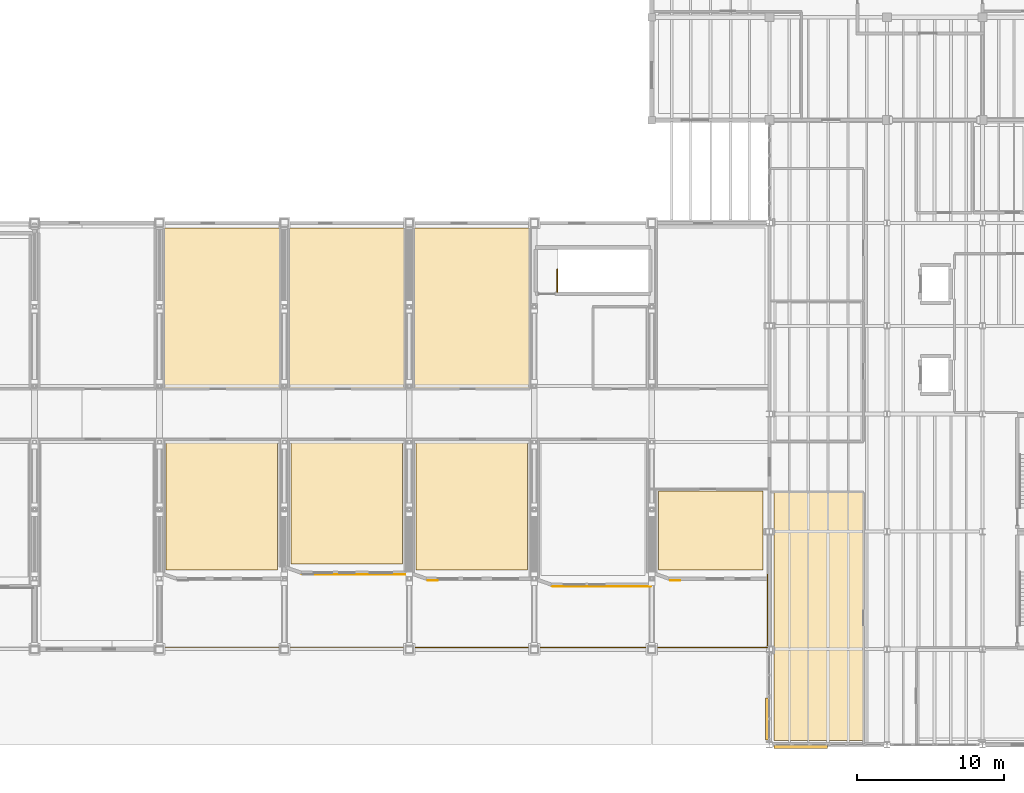
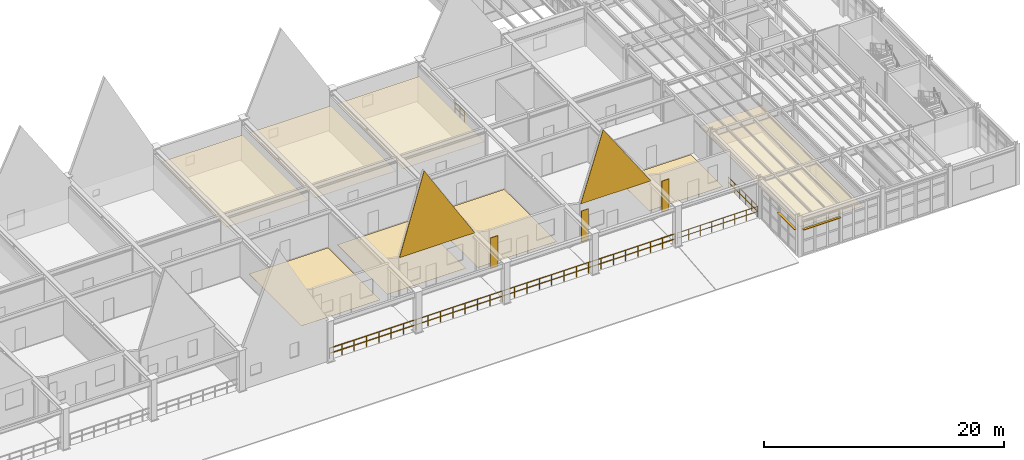
# One storey, part 76 of 78: 13 coverings, 3 railings, 2 shading devices.
"""IFC4 building model written with IfcOpenShell, lengths in metres."""

from ifc_helpers import new_model, si_unit, direction, frame, frame_2d, origin, origin_2d, place, context, subcontext, project, spatial, polyline, rectangle, circle, outline, extrude, material, layer, layer_set, type_object, element, save


model = new_model("IFC4")

# Units and contexts
model_context = context("Model", 3, precision=1e-05, world=origin(), true_north=direction((0.0, 1.0)))
body_context = subcontext(model_context, "Body", "Model", "MODEL_VIEW")
ifc_project = project(units=[si_unit("LENGTHUNIT", "METRE"), si_unit("AREAUNIT", "SQUARE_METRE"), si_unit("VOLUMEUNIT", "CUBIC_METRE"), si_unit("PLANEANGLEUNIT", "RADIAN"), si_unit("MASSUNIT", "GRAM", prefix="KILO"), si_unit("THERMODYNAMICTEMPERATUREUNIT", "KELVIN"), si_unit("POWERUNIT", "WATT")], contexts=[model_context])

# Site, building, storey
site_placement = place(None, origin())
site = spatial("IfcSite", under=ifc_project, at=site_placement, CompositionType="ELEMENT")
building_placement = place(site_placement, origin())
building = spatial("IfcBuilding", under=site, at=building_placement, Name="Zhenchuan Central Fire Station", CompositionType="ELEMENT")
storey_placement = place(building_placement, frame((0.0, 0.0, 5.85009765625)))
storey = spatial("IfcBuildingStorey", under=building, at=storey_placement, Name="L02", CompositionType="ELEMENT", Elevation=5.85009765625)

# Coverings
ifc_material_1 = material(Name="Glulam larch timber GL28h", Category="wood")
ifc_layer_1 = layer(ifc_material_1, 0.0400390625, Name="Glulam larch timber GL28h", Category="wood")
ifc_layer_set_1 = layer_set([ifc_layer_1], Name="Glulam larch timber GL28h")
covering_type_1 = type_object("IfcCoveringType", Name="CLD-LRCH-TIM", PredefinedType="CLADDING", material=ifc_layer_set_1)
covering_1_placement = place(storey_placement, frame((108.199951171875, 11.570068359375, 3.949951171875), z_axis=(0.0, 0.0, 1.0), x_axis=(1.0, 0.0, 0.0)))
element("IfcCovering", 1, at=covering_1_placement, inside=storey, type_object=covering_type_1, Name="Pavilion H07 Glulam Larch Gable Cheek Cladding", PredefinedType="CLADDING", context=body_context, shape_type="SweptSolid", body=[
    extrude(outline(polyline([(0.0, 0.0), (7.25, 0.0), (7.25, 0.0), (2.3701171875, 8.010009765625), (0.0, 0.0), (0.0, 0.0)])), frame((0.0, 0.02001953125, 0.0), z_axis=(0.0, -1.0, 0.0), x_axis=(1.0, 0.0, 0.0)), (0.0, 0.0, 1.0), 0.0400390625),
])
covering_2_placement = place(storey_placement, frame((125.199951171875, 10.77001953125, 3.949951171875), z_axis=(0.0, 0.0, 1.0), x_axis=(1.0, 0.0, 0.0)))
element("IfcCovering", 2, at=covering_2_placement, inside=storey, type_object=covering_type_1, Name="Pavilion H09 Glulam Larch Gable Cheek Cladding", PredefinedType="CLADDING", context=body_context, shape_type="SweptSolid", body=[
    extrude(outline(polyline([(0.0, 0.0), (6.75, 0.0), (6.75, 0.0), (2.159912109375, 6.81005859375), (0.0, 0.0), (0.0, 0.0)])), frame((0.0, 0.02001953125, 0.0), z_axis=(0.0, -1.0, 0.0), x_axis=(1.0, 0.0, 0.0)), (0.0, 0.0, 1.0), 0.0400390625),
])
ifc_material_2 = material(Name="White standing-seam ribbed aluminium cladding", Category="aluminium")
ifc_layer_2 = layer(ifc_material_2, 0.034912109375, Name="White standing-seam ribbed aluminium cladding", Category="aluminium")
ifc_layer_set_2 = layer_set([ifc_layer_2], Name="White standing-seam ribbed aluminium cladding")
covering_type_2 = type_object("IfcCoveringType", Name="CLD-WHT-MTL", PredefinedType="CLADDING", material=ifc_layer_set_2)
for number, where, z_axis, x_axis, name in (
    (3, (116.75, 11.172607421875, 0.0498046875), (0.0, 0.0, 1.0), (1.0, 0.0, 0.0), "Pavilion H08 White Standing-Seam Ribbed Metal Cladding"),
    (4, (125.25, 10.7724609375, 0.0498046875), (0.0, 0.0, 1.0), (1.0, 0.0, 0.0), "Pavilion H09 White Standing-Seam Ribbed Metal Cladding"),
    (5, (133.25, 11.172607421875, 0.0498046875), (0.0, 0.0, 1.0), (1.0, 0.0, 0.0), "Pavilion H10 White Standing-Seam Ribbed Metal Cladding"),
):
    element("IfcCovering", number, at=place(storey_placement, frame(where, z_axis=z_axis, x_axis=x_axis)), inside=storey, type_object=covering_type_2, Name=name, PredefinedType="CLADDING", context=body_context, shape_type="SweptSolid", body=[
        extrude(rectangle(XDim=0.699951171875, YDim=0.034912109375, at=frame_2d((0.35009765625, 0.0))), origin(), (0.0, 0.0, 1.0), 3.150146484375),
    ])
ifc_material_3 = material(Name="Gypsum plasterboard acoustic ceiling", Category="gypsum")
ifc_layer_3 = layer(ifc_material_3, 0.01806640625, Name="Gypsum plasterboard acoustic ceiling", Category="gypsum")
ifc_layer_set_3 = layer_set([ifc_layer_3], Name="Gypsum plasterboard acoustic ceiling")
covering_type_3 = type_object("IfcCoveringType", Name="COV-CEIL-GYP", PredefinedType="CEILING", material=ifc_layer_set_3)
covering_3_placement = place(storey_placement, frame((0.0, 0.0, 2.64990234375)))
element("IfcCovering", 6, at=covering_3_placement, inside=storey, type_object=covering_type_3, Name="Paramedic Supply Store Acoustic Ceiling", PredefinedType="CEILING", context=body_context, shape_type="SweptSolid", body=[
    extrude(outline(polyline([(98.800048828125, 24.199951171875), (98.800048828125, 35.14990234375), (106.699951171875, 35.14990234375), (106.699951171875, 24.199951171875), (98.800048828125, 24.199951171875)])), origin(), (0.0, 0.0, 1.0), 0.01806640625),
])
covering_4_placement = place(storey_placement, frame((0.0, 0.0, 2.64990234375)))
element("IfcCovering", 7, at=covering_4_placement, inside=storey, type_object=covering_type_3, Name="Cadet Seminar Room Acoustic Ceiling", PredefinedType="CEILING", context=body_context, shape_type="SweptSolid", body=[
    extrude(outline(polyline([(107.300048828125, 24.199951171875), (107.300048828125, 35.14990234375), (115.199951171875, 35.14990234375), (115.199951171875, 24.199951171875), (107.300048828125, 24.199951171875)])), origin(), (0.0, 0.0, 1.0), 0.01806640625),
])
covering_5_placement = place(storey_placement, frame((0.0, 0.0, 2.64990234375)))
element("IfcCovering", 8, at=covering_5_placement, inside=storey, type_object=covering_type_3, Name="Radio Maintenance Workshop Acoustic Ceiling", PredefinedType="CEILING", context=body_context, shape_type="SweptSolid", body=[
    extrude(outline(polyline([(115.800048828125, 24.199951171875), (115.800048828125, 35.14990234375), (123.699951171875, 35.14990234375), (123.699951171875, 24.199951171875), (115.800048828125, 24.199951171875)])), origin(), (0.0, 0.0, 1.0), 0.01806640625),
])
covering_6_placement = place(storey_placement, frame((0.0, 0.0, 2.64990234375)))
element("IfcCovering", 9, at=covering_6_placement, inside=storey, type_object=covering_type_3, Name="Fire Prevention Inspection Office Acoustic Ceiling", PredefinedType="CEILING", context=body_context, shape_type="SweptSolid", body=[
    extrude(outline(polyline([(140.300048828125, 0.300048828125), (140.300048828125, 17.199951171875), (146.39990234375, 17.199951171875), (146.39990234375, 0.300048828125), (140.300048828125, 0.300048828125)])), origin(), (0.0, 0.0, 1.0), 0.01806640625),
])
ifc_material_4 = material(Name="Heavy-duty slip-resistant ceramic tile flooring")
ifc_layer_4 = layer(ifc_material_4, 0.014892578125, Name="Heavy-duty slip-resistant ceramic tile flooring")
ifc_layer_set_4 = layer_set([ifc_layer_4], Name="Heavy-duty slip-resistant ceramic tile flooring")
covering_type_4 = type_object("IfcCoveringType", Name="COV-FLR-RES", PredefinedType="FLOORING", material=ifc_layer_set_4)
covering_7_placement = place(storey_placement, origin())
element("IfcCovering", 10, at=covering_7_placement, inside=storey, type_object=covering_type_4, Name="Medical Rescue Training Studio Ceramic Tile Flooring", PredefinedType="FLOORING", context=body_context, shape_type="SweptSolid", body=[
    extrude(outline(polyline([(98.949951171875, 11.89990234375), (106.550048828125, 11.89990234375), (106.550048828125, 20.64990234375), (98.949951171875, 20.64990234375), (98.949951171875, 11.89990234375)])), origin(), (0.0, 0.0, 1.0), 0.014892578125),
])
covering_8_placement = place(storey_placement, origin())
element("IfcCovering", 11, at=covering_8_placement, inside=storey, type_object=covering_type_4, Name="Technical Library and Reading Room Ceramic Tile Flooring", PredefinedType="FLOORING", context=body_context, shape_type="SweptSolid", body=[
    extrude(outline(polyline([(107.449951171875, 12.300048828125), (115.050048828125, 12.300048828125), (115.050048828125, 20.64990234375), (107.449951171875, 20.64990234375), (107.449951171875, 12.300048828125)])), origin(), (0.0, 0.0, 1.0), 0.014892578125),
])
covering_9_placement = place(storey_placement, origin())
element("IfcCovering", 12, at=covering_9_placement, inside=storey, type_object=covering_type_4, Name="Drone Reconnaissance Lab Ceramic Tile Flooring", PredefinedType="FLOORING", context=body_context, shape_type="SweptSolid", body=[
    extrude(outline(polyline([(115.949951171875, 11.89990234375), (123.550048828125, 11.89990234375), (123.550048828125, 20.64990234375), (115.949951171875, 20.64990234375), (115.949951171875, 11.89990234375)])), origin(), (0.0, 0.0, 1.0), 0.014892578125),
])
covering_10_placement = place(storey_placement, origin())
element("IfcCovering", 13, at=covering_10_placement, inside=storey, type_object=covering_type_4, Name="Reserve Turnout Locker Room Ceramic Tile Flooring", PredefinedType="FLOORING", context=body_context, shape_type="SweptSolid", body=[
    extrude(outline(polyline([(132.449951171875, 11.89990234375), (139.550048828125, 11.89990234375), (139.550048828125, 17.25), (132.449951171875, 17.25), (132.449951171875, 11.89990234375)])), origin(), (0.0, 0.0, 1.0), 0.014892578125),
])

# Railings
ifc_material_5 = material(Name="Galvanised powder-coated steel", Category="steel")
railing_type_1 = type_object("IfcRailingType", Name="RL-EXT-GRD", PredefinedType="GUARDRAIL", material=ifc_material_5)
railing_1_placement = place(storey_placement, frame((98.60009765625, 6.6201171875, 0.0)))
element("IfcRailing", 14, at=railing_1_placement, inside=storey, type_object=railing_type_1, Name="GRD-L02-V1S-C", PredefinedType="GUARDRAIL", context=body_context, shape_type="SweptSolid", body=[
    extrude(circle(Radius=0.02392578125, at=origin_2d()), frame((0.0, 0.0, 1.076171875), z_axis=(1.0, 0.0, 0.0), x_axis=(0.0, 1.0, 0.0)), (0.0, 0.0, 1.0), 33.2998046875),
    extrude(circle(Radius=0.02392578125, at=origin_2d()), frame((0.0, 0.0, 0.550048828125), z_axis=(1.0, 0.0, 0.0), x_axis=(0.0, 1.0, 0.0)), (0.0, 0.0, 1.0), 33.2998046875),
    extrude(circle(Radius=0.02099609375, at=origin_2d()), origin(), (0.0, 0.0, 1.0), 1.052001953125),
    extrude(circle(Radius=0.02099609375, at=origin_2d()), frame((1.189208984375, 0.0, 0.0)), (0.0, 0.0, 1.0), 1.052001953125),
    extrude(circle(Radius=0.02099609375, at=origin_2d()), frame((2.378662109375, 0.0, 0.0)), (0.0, 0.0, 1.0), 1.052001953125),
    extrude(circle(Radius=0.02099609375, at=origin_2d()), frame((3.56787109375, 0.0, 0.0)), (0.0, 0.0, 1.0), 1.052001953125),
    extrude(circle(Radius=0.02099609375, at=origin_2d()), frame((4.757080078125, 0.0, 0.0)), (0.0, 0.0, 1.0), 1.052001953125),
    extrude(circle(Radius=0.02099609375, at=origin_2d()), frame((5.9462890625, 0.0, 0.0)), (0.0, 0.0, 1.0), 1.052001953125),
    extrude(circle(Radius=0.02099609375, at=origin_2d()), frame((7.1357421875, 0.0, 0.0)), (0.0, 0.0, 1.0), 1.052001953125),
    extrude(circle(Radius=0.02099609375, at=origin_2d()), frame((8.324951171875, 0.0, 0.0)), (0.0, 0.0, 1.0), 1.052001953125),
    extrude(circle(Radius=0.02099609375, at=origin_2d()), frame((9.51416015625, 0.0, 0.0)), (0.0, 0.0, 1.0), 1.052001953125),
    extrude(circle(Radius=0.02099609375, at=origin_2d()), frame((10.70361328125, 0.0, 0.0)), (0.0, 0.0, 1.0), 1.052001953125),
    extrude(circle(Radius=0.02099609375, at=origin_2d()), frame((11.892822265625, 0.0, 0.0)), (0.0, 0.0, 1.0), 1.052001953125),
    extrude(circle(Radius=0.02099609375, at=origin_2d()), frame((13.08203125, 0.0, 0.0)), (0.0, 0.0, 1.0), 1.052001953125),
    extrude(circle(Radius=0.02099609375, at=origin_2d()), frame((14.271240234375, 0.0, 0.0)), (0.0, 0.0, 1.0), 1.052001953125),
    extrude(circle(Radius=0.02099609375, at=origin_2d()), frame((15.460693359375, 0.0, 0.0)), (0.0, 0.0, 1.0), 1.052001953125),
    extrude(circle(Radius=0.02099609375, at=origin_2d()), frame((16.64990234375, 0.0, 0.0)), (0.0, 0.0, 1.0), 1.052001953125),
    extrude(circle(Radius=0.02099609375, at=origin_2d()), frame((17.839111328125, 0.0, 0.0)), (0.0, 0.0, 1.0), 1.052001953125),
    extrude(circle(Radius=0.02099609375, at=origin_2d()), frame((19.028564453125, 0.0, 0.0)), (0.0, 0.0, 1.0), 1.052001953125),
    extrude(circle(Radius=0.02099609375, at=origin_2d()), frame((20.2177734375, 0.0, 0.0)), (0.0, 0.0, 1.0), 1.052001953125),
    extrude(circle(Radius=0.02099609375, at=origin_2d()), frame((21.406982421875, 0.0, 0.0)), (0.0, 0.0, 1.0), 1.052001953125),
    extrude(circle(Radius=0.02099609375, at=origin_2d()), frame((22.59619140625, 0.0, 0.0)), (0.0, 0.0, 1.0), 1.052001953125),
    extrude(circle(Radius=0.02099609375, at=origin_2d()), frame((23.78564453125, 0.0, 0.0)), (0.0, 0.0, 1.0), 1.052001953125),
    extrude(circle(Radius=0.02099609375, at=origin_2d()), frame((24.974853515625, 0.0, 0.0)), (0.0, 0.0, 1.0), 1.052001953125),
    extrude(circle(Radius=0.02099609375, at=origin_2d()), frame((26.1640625, 0.0, 0.0)), (0.0, 0.0, 1.0), 1.052001953125),
    extrude(circle(Radius=0.02099609375, at=origin_2d()), frame((27.353515625, 0.0, 0.0)), (0.0, 0.0, 1.0), 1.052001953125),
    extrude(circle(Radius=0.02099609375, at=origin_2d()), frame((28.542724609375, 0.0, 0.0)), (0.0, 0.0, 1.0), 1.052001953125),
    extrude(circle(Radius=0.02099609375, at=origin_2d()), frame((29.73193359375, 0.0, 0.0)), (0.0, 0.0, 1.0), 1.052001953125),
    extrude(circle(Radius=0.02099609375, at=origin_2d()), frame((30.921142578125, 0.0, 0.0)), (0.0, 0.0, 1.0), 1.052001953125),
    extrude(circle(Radius=0.02099609375, at=origin_2d()), frame((32.110595703125, 0.0, 0.0)), (0.0, 0.0, 1.0), 1.052001953125),
    extrude(circle(Radius=0.02099609375, at=origin_2d()), frame((33.2998046875, 0.0, 0.0)), (0.0, 0.0, 1.0), 1.052001953125),
])
railing_2_placement = place(storey_placement, frame((132.10009765625, 6.6201171875, 0.0)))
element("IfcRailing", 15, at=railing_2_placement, inside=storey, type_object=railing_type_1, Name="GRD-L02-V1S-E", PredefinedType="GUARDRAIL", context=body_context, shape_type="SweptSolid", body=[
    extrude(circle(Radius=0.02392578125, at=origin_2d()), frame((0.0, 0.0, 1.076171875), z_axis=(1.0, 0.0, 0.0), x_axis=(0.0, 1.0, 0.0)), (0.0, 0.0, 1.0), 7.77978515625),
    extrude(circle(Radius=0.02392578125, at=origin_2d()), frame((0.0, 0.0, 0.550048828125), z_axis=(1.0, 0.0, 0.0), x_axis=(0.0, 1.0, 0.0)), (0.0, 0.0, 1.0), 7.77978515625),
    extrude(circle(Radius=0.02392578125, at=origin_2d()), frame((7.77978515625, 0.0, 1.076171875), z_axis=(0.0, 1.0, 0.0), x_axis=(-1.0, 0.0, 0.0)), (0.0, 0.0, 1.0), 4.97998046875),
    extrude(circle(Radius=0.02392578125, at=origin_2d()), frame((7.77978515625, 0.0, 0.550048828125), z_axis=(0.0, 1.0, 0.0), x_axis=(-1.0, 0.0, 0.0)), (0.0, 0.0, 1.0), 4.97998046875),
    extrude(circle(Radius=0.02099609375, at=origin_2d()), origin(), (0.0, 0.0, 1.0), 1.052001953125),
    extrude(circle(Radius=0.02099609375, at=origin_2d()), frame((1.111328125, 0.0, 0.0)), (0.0, 0.0, 1.0), 1.052001953125),
    extrude(circle(Radius=0.02099609375, at=origin_2d()), frame((2.222900390625, 0.0, 0.0)), (0.0, 0.0, 1.0), 1.052001953125),
    extrude(circle(Radius=0.02099609375, at=origin_2d()), frame((3.334228515625, 0.0, 0.0)), (0.0, 0.0, 1.0), 1.052001953125),
    extrude(circle(Radius=0.02099609375, at=origin_2d()), frame((4.445556640625, 0.0, 0.0)), (0.0, 0.0, 1.0), 1.052001953125),
    extrude(circle(Radius=0.02099609375, at=origin_2d()), frame((5.556884765625, 0.0, 0.0)), (0.0, 0.0, 1.0), 1.052001953125),
    extrude(circle(Radius=0.02099609375, at=origin_2d()), frame((6.66845703125, 0.0, 0.0)), (0.0, 0.0, 1.0), 1.052001953125),
    extrude(circle(Radius=0.02099609375, at=origin_2d()), frame((7.77978515625, 0.0, 0.0)), (0.0, 0.0, 1.0), 1.052001953125),
    extrude(circle(Radius=0.02099609375, at=origin_2d()), frame((7.77978515625, 0.99609375, 0.0)), (0.0, 0.0, 1.0), 1.052001953125),
    extrude(circle(Radius=0.02099609375, at=origin_2d()), frame((7.77978515625, 1.991943359375, 0.0)), (0.0, 0.0, 1.0), 1.052001953125),
    extrude(circle(Radius=0.02099609375, at=origin_2d()), frame((7.77978515625, 2.988037109375, 0.0)), (0.0, 0.0, 1.0), 1.052001953125),
    extrude(circle(Radius=0.02099609375, at=origin_2d()), frame((7.77978515625, 3.98388671875, 0.0)), (0.0, 0.0, 1.0), 1.052001953125),
    extrude(circle(Radius=0.02099609375, at=origin_2d()), frame((7.77978515625, 4.97998046875, 0.0)), (0.0, 0.0, 1.0), 1.052001953125),
])
railing_type_2 = type_object("IfcRailingType", Name="RL-ST-GRD", PredefinedType="GUARDRAIL", material=ifc_material_5)
railing_3_placement = place(storey_placement, frame((125.570068359375, 30.800048828125, 0.0)))
element("IfcRailing", 16, at=railing_3_placement, inside=storey, type_object=railing_type_2, Name="L02 ST-09 top well guard 1", PredefinedType="GUARDRAIL", context=body_context, shape_type="SweptSolid", body=[
    extrude(circle(Radius=0.02392578125, at=origin_2d()), frame((0.0, 0.0, 1.076171875), z_axis=(0.0, 1.0, 0.0), x_axis=(-1.0, 0.0, 0.0)), (0.0, 0.0, 1.0), 1.550048828125),
    extrude(circle(Radius=0.02392578125, at=origin_2d()), frame((0.0, 0.0, 0.550048828125), z_axis=(0.0, 1.0, 0.0), x_axis=(-1.0, 0.0, 0.0)), (0.0, 0.0, 1.0), 1.550048828125),
    extrude(circle(Radius=0.02099609375, at=origin_2d()), origin(), (0.0, 0.0, 1.0), 1.052001953125),
    extrude(circle(Radius=0.02099609375, at=origin_2d()), frame((0.0, 0.77490234375, 0.0)), (0.0, 0.0, 1.0), 1.052001953125),
    extrude(circle(Radius=0.02099609375, at=origin_2d()), frame((0.0, 1.550048828125, 0.0)), (0.0, 0.0, 1.0), 1.052001953125),
])

# Shading devices
ifc_material_6 = material(Name="Anodised aluminium EN AW-6063", Category="aluminium")
ifc_layer_5 = layer(ifc_material_6, 0.0400390625, Name="Anodised aluminium EN AW-6063", Category="aluminium")
ifc_layer_set_5 = layer_set([ifc_layer_5], Name="Anodised aluminium EN AW-6063")
shading_device_type = type_object("IfcShadingDeviceType", Name="SHD-ALU-FIN", PredefinedType="JALOUSIE", material=ifc_layer_set_5)
shading_device_1_placement = place(storey_placement, frame((142.131103515625, -0.138427734375, 2.62939453125), z_axis=(0.0, 0.0, 1.0), x_axis=(1.0, 0.0, 0.0)))
element("IfcShadingDevice", 17, at=shading_device_1_placement, inside=storey, type_object=shading_device_type, Name="Perforated Aluminium Sun-Shading Louvre 010", PredefinedType="JALOUSIE", context=body_context, shape_type="SweptSolid", body=[
    extrude(rectangle(XDim=3.6220703125, YDim=0.219970703125, at=origin_2d()), origin(), (0.0, 0.0, 1.0), 0.044921875),
])
shading_device_2_placement = place(storey_placement, frame((139.861572265625, 1.756103515625, 2.515625), z_axis=(0.0, 0.0, 1.0), x_axis=(0.0, 1.0, 0.0)))
element("IfcShadingDevice", 18, at=shading_device_2_placement, inside=storey, type_object=shading_device_type, Name="Perforated Aluminium Sun-Shading Louvre 012", PredefinedType="JALOUSIE", context=body_context, shape_type="SweptSolid", body=[
    extrude(rectangle(XDim=2.8720703125, YDim=0.219970703125, at=origin_2d()), origin(), (0.0, 0.0, 1.0), 0.044921875),
])

save(model, "model.ifc")
